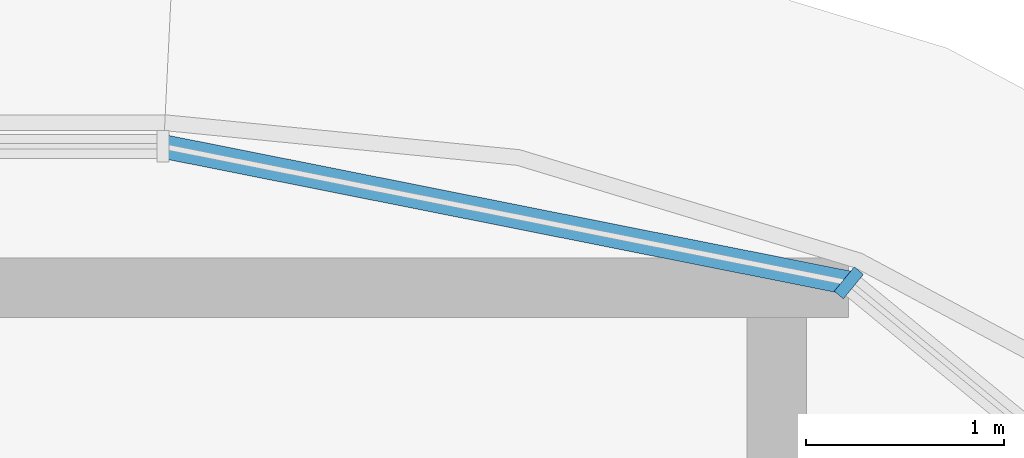
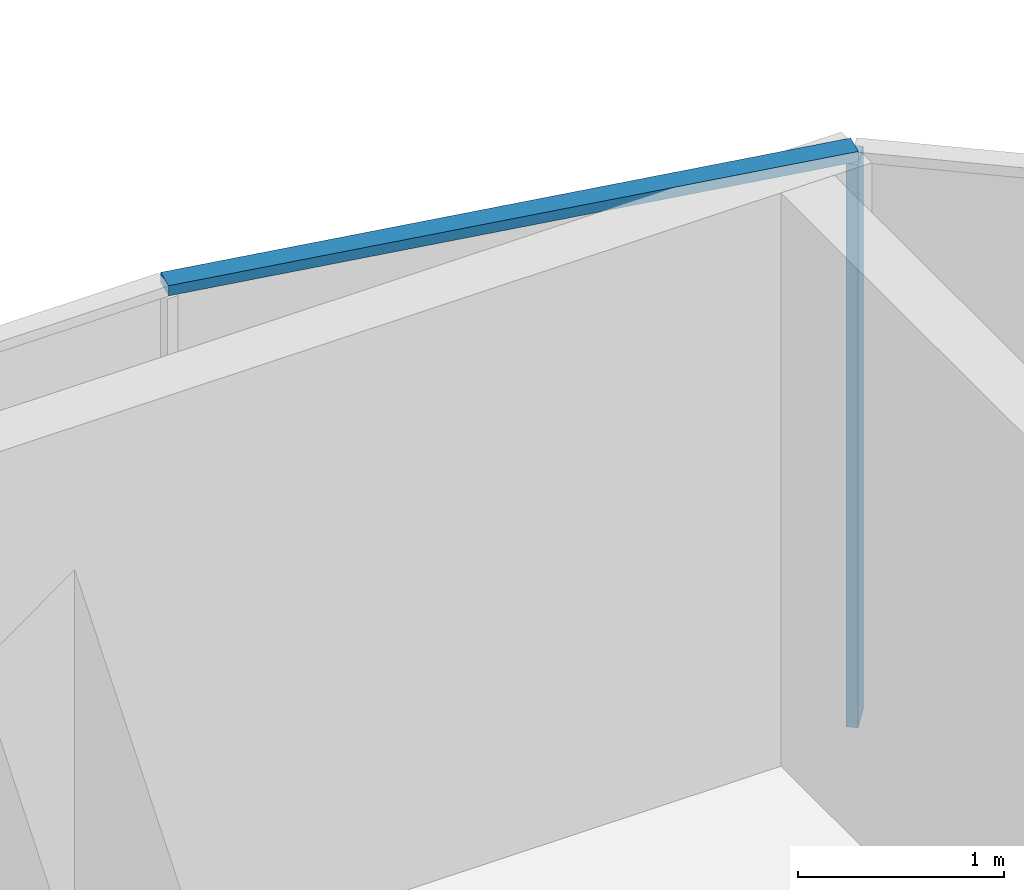
# One storey, part 5 of 36: 2 members, 1 element without a shape of its own.
"""IFC4 building model written with IfcOpenShell, lengths in metres."""

import ifcopenshell
import ifcopenshell.guid

model = None  # the IFC model being written
_history = None  # IfcOwnerHistory: only IFC2X3 demands one
_inside = {}  # id of a spatial element -> (the spatial element, [elements in it])
_under = {}  # id of a project, library or spatial element -> (it, [spatial elements below it])
_declared = {}  # id of a project -> (the project, [libraries it declares])
_typed = {}  # id of a type object -> (the type object, [elements of that type])
_made_of = {}  # id of a material, layer set ... -> (it, [elements and type objects made of it])


def new_model(schema):
    """Start an empty IFC model of exactly this schema.

    Asked for "IFC4X3", IfcOpenShell would pick the latest addendum, in which some entities
    have other attributes; the version numbers below select the first issue.
    IFC2X3 requires an IfcOwnerHistory on every rooted entity: one is made here for all.
    """
    global model, _history
    if schema == "IFC4X3":
        model = ifcopenshell.file(schema_version=(4, 3, 0, 0))
    else:
        model = ifcopenshell.file(schema=schema)
    _inside.clear()
    _under.clear()
    _declared.clear()
    _typed.clear()
    _made_of.clear()
    _history = None
    if model.schema == "IFC2X3":
        org = make("IfcOrganization", Name="unknown")
        user = make(
            "IfcPersonAndOrganization",
            ThePerson=make("IfcPerson", FamilyName="unknown"),
            TheOrganization=org,
        )
        app = make(
            "IfcApplication",
            ApplicationDeveloper=org,
            Version="unknown",
            ApplicationFullName="unknown",
            ApplicationIdentifier="unknown",
        )
        _history = make(
            "IfcOwnerHistory",
            OwningUser=user,
            OwningApplication=app,
            ChangeAction="ADDED",
            CreationDate=0,
        )
    return model


def make(cls, **values):
    """One entity of the class cls with the attributes given. An attribute that is None is left unset."""
    return model.create_entity(
        cls, **{name: value for name, value in values.items() if value is not None}
    )


def rooted(cls, **values):
    """An entity with a GlobalId (a new one), such as an element, a storey or a relation."""
    return make(cls, GlobalId=ifcopenshell.guid.new(), OwnerHistory=_history, **values)


def si_unit(unit_type, name, prefix=None):
    """IfcSIUnit, for example si_unit("LENGTHUNIT", "METRE", prefix="MILLI")."""
    return make("IfcSIUnit", UnitType=unit_type, Prefix=prefix, Name=name)


def assignment(units):
    """IfcUnitAssignment: the units of a project."""
    return None if units is None else make("IfcUnitAssignment", Units=units)


def point(xyz):
    """IfcCartesianPoint."""
    return None if xyz is None else make("IfcCartesianPoint", Coordinates=xyz)


def direction(xyz):
    """IfcDirection."""
    return None if xyz is None else make("IfcDirection", DirectionRatios=xyz)


def frame(location, z_axis=None, x_axis=None):
    """IfcAxis2Placement3D, a coordinate frame: its origin and axes. An axis left out is left unset."""
    return make(
        "IfcAxis2Placement3D",
        Location=point(location),
        Axis=direction(z_axis),
        RefDirection=direction(x_axis),
    )


def frame_2d(location, x_axis=None):
    """IfcAxis2Placement2D, a coordinate frame in the plane: its origin and x axis."""
    return make(
        "IfcAxis2Placement2D", Location=point(location), RefDirection=direction(x_axis)
    )


def origin():
    """The frame at (0, 0, 0) with its axes left unset."""
    return frame((0.0, 0.0, 0.0))


def origin_2d():
    """The frame at (0, 0) in the plane with its x axis left unset."""
    return frame_2d((0.0, 0.0))


def place(relative_to, where):
    """IfcLocalPlacement: puts the frame where relative to a parent placement (None: the world)."""
    return make(
        "IfcLocalPlacement", PlacementRelTo=relative_to, RelativePlacement=where
    )


def context(
    kind, dimensions, precision=None, world=None, true_north=None, identifier=None
):
    """IfcGeometricRepresentationContext, for example the 3D "Model" context."""
    return make(
        "IfcGeometricRepresentationContext",
        ContextIdentifier=identifier,
        ContextType=kind,
        CoordinateSpaceDimension=dimensions,
        Precision=precision,
        WorldCoordinateSystem=world,
        TrueNorth=true_north,
    )


def subcontext(parent, identifier, kind, view, scale=None):
    """IfcGeometricRepresentationSubContext, for example "Body" below "Model"."""
    return make(
        "IfcGeometricRepresentationSubContext",
        ContextIdentifier=identifier,
        ContextType=kind,
        ParentContext=parent,
        TargetScale=scale,
        TargetView=view,
    )


def project(units=None, contexts=None):
    """IfcProject with its units and contexts."""
    return rooted(
        "IfcProject",
        Name="project",
        RepresentationContexts=contexts,
        UnitsInContext=assignment(units),
    )


def spatial(cls, under=None, at=None, **own):
    """A site, building, storey or space (cls), placed at a placement, below another one or the project."""
    s = rooted(cls, ObjectPlacement=at, **own)
    if under is not None:
        _under.setdefault(under.id(), (under, []))[1].append(s)
    return s


def profile(cls, at=None, kind="AREA", **sizes):
    """A parametric profile (cls). Its sizes go by their IFC names, for example OverallWidth=200.0."""
    return make(cls, ProfileType=kind, Position=at, **sizes)


def rectangle(**sizes):
    """IfcRectangleProfileDef."""
    return profile("IfcRectangleProfileDef", **sizes)


def extrude(swept, where, along, depth):
    """IfcExtrudedAreaSolid: the profile swept, set in the frame where, extruded along a direction by depth."""
    return make(
        "IfcExtrudedAreaSolid",
        SweptArea=swept,
        Position=where,
        ExtrudedDirection=direction(along),
        Depth=depth,
    )


def shape(context_of_items, identifier, shape_type, items):
    """IfcShapeRepresentation: the items that make up one representation, for example the "Body"."""
    return make(
        "IfcShapeRepresentation",
        ContextOfItems=context_of_items,
        RepresentationIdentifier=identifier,
        RepresentationType=shape_type,
        Items=items,
    )


def material(Name=None, Category=None):
    """IfcMaterial."""
    return make("IfcMaterial", Name=Name, Category=Category)


def material_profile(
    of_material, cross_section, Name=None, Category=None, Priority=None
):
    """IfcMaterialProfile: a cross section and its material."""
    return make(
        "IfcMaterialProfile",
        Name=Name,
        Material=of_material,
        Profile=cross_section,
        Priority=Priority,
        Category=Category,
    )


def profile_set(profiles, Name=None, composite=None):
    """IfcMaterialProfileSet."""
    return make(
        "IfcMaterialProfileSet",
        Name=Name,
        MaterialProfiles=profiles,
        CompositeProfile=composite,
    )


def made_of(thing, what):
    """Note that an element or type object is made of a material, layer set ...; save() writes the relation."""
    if what is not None:
        _made_of.setdefault(what.id(), (what, []))[1].append(thing)
    return thing


def type_object(cls, material=None, **own):
    """A type object (cls), such as IfcWallType, which elements share."""
    return made_of(rooted(cls, **own), material)


def element(
    cls,
    number,
    at=None,
    inside=None,
    cuts=None,
    type_object=None,
    material=None,
    context=None,
    identifier="Body",
    shape_type=None,
    held_by="IfcProductDefinitionShape",
    body=None,
    shapes=None,
    **own,
):
    """One element of the class cls, such as IfcWall. Its Tag is "e" and its number.

    at: its placement. inside: the storey or other place that contains it. cuts: it is an
    opening in that element (IfcRelVoidsElement). A single representation is given by context,
    identifier, shape_type and body (its items); several are given by shapes. held_by: the class
    of the entity that holds the representations. save() writes the other relations.
    """
    e = rooted(cls, Tag="e%d" % number, ObjectPlacement=at, **own)
    if body is not None:
        shapes = [shape(context, identifier, shape_type, body)]
    if shapes is not None:
        e.Representation = make(held_by, Representations=shapes)
    if inside is not None:
        _inside.setdefault(inside.id(), (inside, []))[1].append(e)
    if cuts is not None:
        rooted(
            "IfcRelVoidsElement", RelatingBuildingElement=cuts, RelatedOpeningElement=e
        )
    if type_object is not None:
        _typed.setdefault(type_object.id(), (type_object, []))[1].append(e)
    return made_of(e, material)


def aggregate(whole, parts):
    """IfcRelAggregates: a whole, such as a stair, and the parts it consists of."""
    return rooted("IfcRelAggregates", RelatingObject=whole, RelatedObjects=parts)


def save(model, path):
    """Write the relations noted so far, then the file.

    IfcRelAggregates (storeys below a building ...), IfcRelContainedInSpatialStructure (elements
    in a storey), IfcRelDefinesByType, IfcRelAssociatesMaterial and IfcRelDeclares: one each for
    every whole, place, type object, material and project.
    """
    for whole, parts in _under.values():
        aggregate(whole, parts)
    for where, things in _inside.values():
        rooted(
            "IfcRelContainedInSpatialStructure",
            RelatedElements=things,
            RelatingStructure=where,
        )
    for kind, things in _typed.values():
        rooted("IfcRelDefinesByType", RelatedObjects=things, RelatingType=kind)
    for what, things in _made_of.values():
        rooted("IfcRelAssociatesMaterial", RelatedObjects=things, RelatingMaterial=what)
    for by, libraries in _declared.values():
        rooted("IfcRelDeclares", RelatingContext=by, RelatedDefinitions=libraries)
    model.write(path)


model = new_model("IFC4")

# Units and contexts
model_context = context("Model", 3, precision=1e-05, world=origin(), true_north=direction((0.0, 1.0)))
body_context = subcontext(model_context, "Body", "Model", "MODEL_VIEW")
ifc_project = project(units=[si_unit("LENGTHUNIT", "METRE"), si_unit("AREAUNIT", "SQUARE_METRE"), si_unit("VOLUMEUNIT", "CUBIC_METRE"), si_unit("PLANEANGLEUNIT", "RADIAN"), si_unit("MASSUNIT", "GRAM", prefix="KILO")], contexts=[model_context])

# Site, building, storey
site_placement = place(None, origin())
site = spatial("IfcSite", under=ifc_project, at=site_placement, CompositionType="ELEMENT")
building_placement = place(site_placement, origin())
building = spatial("IfcBuilding", under=site, at=building_placement, Name="Ogive Portal Towers", CompositionType="ELEMENT")
storey_placement = place(building_placement, frame((0.0, 0.0, 52.0)))
storey = spatial("IfcBuildingStorey", under=building, at=storey_placement, Name="L11", CompositionType="ELEMENT", Elevation=52.0)

# Curtain wall, members
ifc_material_1 = material(Name="Glass, clear low-iron insulated glazing", Category="glass")
curtain_wall_type = type_object("IfcCurtainWallType", Name="CW FRONT RIBBON 4500", PredefinedType="NOTDEFINED", material=ifc_material_1)
curtain_wall_placement = place(storey_placement, origin())
curtain_wall = element("IfcCurtainWall", 1, at=curtain_wall_placement, inside=storey, type_object=curtain_wall_type, Name="A:L11:f13:cwa", PredefinedType="NOTDEFINED")
ifc_material_2 = material(Name="Aluminium 6063 anodised", Category="aluminium")
ifc_material_profile_1 = material_profile(ifc_material_2, rectangle(XDim=0.159912109375, YDim=0.06005859375, at=origin_2d()), Name="AL 60x160")
ifc_profile_set_1 = profile_set([ifc_material_profile_1], Name="Aluminium 6063 anodised")
member_type_1 = type_object("IfcMemberType", Name="CW MULLION 60x160", PredefinedType="MULLION", material=ifc_profile_set_1)
member_1_placement = place(storey_placement, frame((90.96435546875, 40.874267578125, 0.0), z_axis=(0.0, 0.0, 1.0), x_axis=(-0.634393284164, -0.773010453363, 0.0)))
member_1 = element("IfcMember", 2, at=member_1_placement, type_object=member_type_1, Name="mullion", PredefinedType="MULLION", context=body_context, shape_type="SweptSolid", body=[
    extrude(rectangle(XDim=0.159912109375, YDim=0.06005859375, at=origin_2d()), origin(), (0.0, 0.0, 1.0), 3.340087890625),
])
ifc_material_profile_2 = material_profile(ifc_material_2, rectangle(XDim=0.1201171875, YDim=0.06005859375, at=origin_2d()), Name="AL 120x60")
ifc_profile_set_2 = profile_set([ifc_material_profile_2], Name="Aluminium 6063 anodised")
member_type_2 = type_object("IfcMemberType", Name="CW TRANSOM 60x120", PredefinedType="USERDEFINED", material=ifc_profile_set_2)
member_2_placement = place(storey_placement, frame((90.96435546875, 40.874267578125, 3.3701171875), z_axis=(-0.980784379, 0.195094853621, 0.0), x_axis=(-0.195094853621, -0.980784379, 0.0)))
member_2 = element("IfcMember", 3, at=member_2_placement, type_object=member_type_2, Name="transom", ObjectType="TRANSOM", PredefinedType="USERDEFINED", context=body_context, shape_type="SweptSolid", body=[
    extrude(rectangle(XDim=0.1201171875, YDim=0.06005859375, at=origin_2d()), origin(), (0.0, 0.0, 1.0), 3.540283203125),
])
aggregate(curtain_wall, [member_2, member_1])

save(model, "model.ifc")
